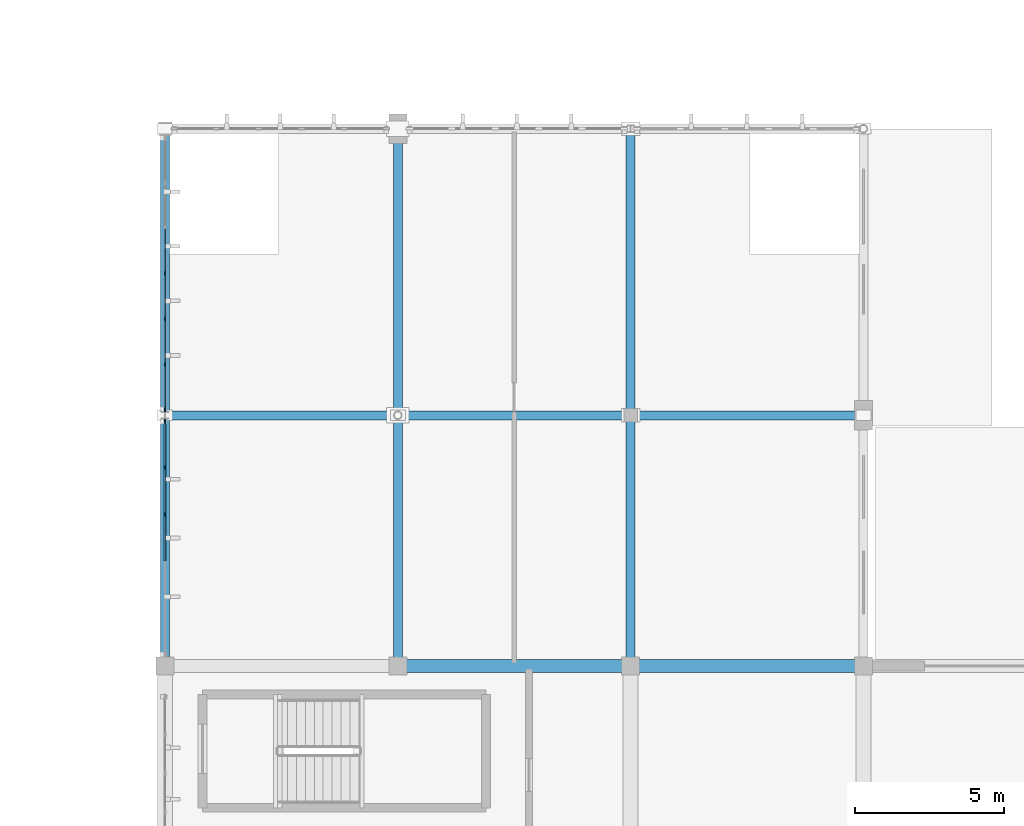
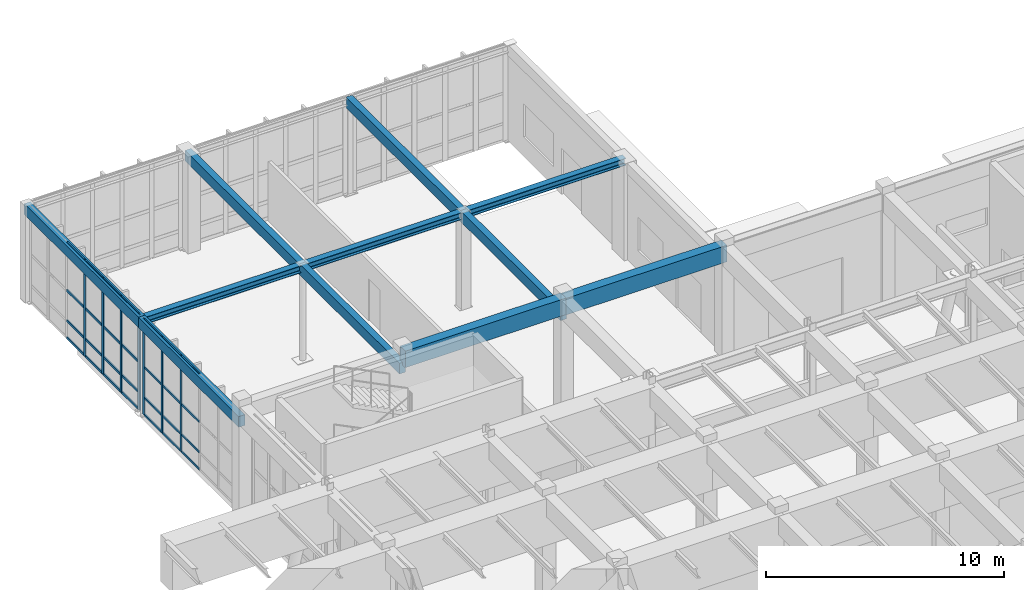
# One storey, part 42 of 110: 35 members, 11 beams, 2 elements without a shape of their own.
"""IFC4 building model written with IfcOpenShell, lengths in metres."""

from ifc_helpers import new_model, si_unit, direction, frame, origin, origin_2d, place, context, subcontext, project, spatial, rectangle, i_section, extrude, material, material_profile, profile_set, type_object, element, aggregate, save


model = new_model("IFC4")

# Units and contexts
model_context = context("Model", 3, precision=1e-05, world=origin(), true_north=direction((0.0, 1.0)))
body_context = subcontext(model_context, "Body", "Model", "MODEL_VIEW")
ifc_project = project(units=[si_unit("LENGTHUNIT", "METRE"), si_unit("AREAUNIT", "SQUARE_METRE"), si_unit("VOLUMEUNIT", "CUBIC_METRE"), si_unit("PLANEANGLEUNIT", "RADIAN"), si_unit("MASSUNIT", "GRAM", prefix="KILO")], contexts=[model_context])

# Site, building, storey
site_placement = place(None, origin())
site = spatial("IfcSite", under=ifc_project, at=site_placement, CompositionType="ELEMENT")
building_placement = place(site_placement, origin())
building = spatial("IfcBuilding", under=site, at=building_placement, Name="Tizgana Railside Sports Hall", CompositionType="ELEMENT")
storey_placement = place(building_placement, origin())
storey = spatial("IfcBuildingStorey", under=building, at=storey_placement, Name="L00", CompositionType="ELEMENT", Elevation=0.0)

# Beams
ifc_material_1 = material(Name="Concrete C35/45", Category="concrete")
ifc_material_profile_1 = material_profile(ifc_material_1, rectangle(XDim=0.300048828125, YDim=0.550048828125, at=origin_2d()), Name="RCB 300x550")
ifc_profile_set_1 = profile_set([ifc_material_profile_1], Name="Concrete C35/45")
beam_type_1 = type_object("IfcBeamType", Name="Concrete Beam RCB 300x550", PredefinedType="BEAM", material=ifc_profile_set_1)
beam_1_placement = place(storey_placement, frame((7.800048828125, 80.39990234375, 4.680908203125), z_axis=(0.0, 1.0, 0.0), x_axis=(-1.0, 0.0, 0.0)))
element("IfcBeam", 1, at=beam_1_placement, inside=storey, type_object=beam_type_1, Name="L00 BEM-1301", PredefinedType="BEAM", context=body_context, shape_type="SweptSolid", body=[
    extrude(rectangle(XDim=0.300048828125, YDim=0.550048828125, at=origin_2d()), origin(), (0.0, 0.0, 1.0), 8.400146484375),
])
beam_2_placement = place(storey_placement, frame((7.800048828125, 88.800048828125, 4.680908203125), z_axis=(0.0, 1.0, 0.0), x_axis=(-1.0, 0.0, 0.0)))
element("IfcBeam", 2, at=beam_2_placement, inside=storey, type_object=beam_type_1, Name="L00 BEM-1303", PredefinedType="BEAM", context=body_context, shape_type="SweptSolid", body=[
    extrude(rectangle(XDim=0.300048828125, YDim=0.550048828125, at=origin_2d()), origin(), (0.0, 0.0, 1.0), 9.599853515625),
])
beam_3_placement = place(storey_placement, frame((15.60009765625, 80.39990234375, 4.680908203125), z_axis=(0.0, 1.0, 0.0), x_axis=(-1.0, 0.0, 0.0)))
element("IfcBeam", 3, at=beam_3_placement, inside=storey, type_object=beam_type_1, Name="L00 BEM-1305", PredefinedType="BEAM", context=body_context, shape_type="SweptSolid", body=[
    extrude(rectangle(XDim=0.300048828125, YDim=0.550048828125, at=origin_2d()), origin(), (0.0, 0.0, 1.0), 8.400146484375),
])
beam_4_placement = place(storey_placement, frame((15.60009765625, 88.800048828125, 4.680908203125), z_axis=(0.0, 1.0, 0.0), x_axis=(-1.0, 0.0, 0.0)))
element("IfcBeam", 4, at=beam_4_placement, inside=storey, type_object=beam_type_1, Name="L00 BEM-1307", PredefinedType="BEAM", context=body_context, shape_type="SweptSolid", body=[
    extrude(rectangle(XDim=0.300048828125, YDim=0.550048828125, at=origin_2d()), origin(), (0.0, 0.0, 1.0), 9.599853515625),
])
beam_5_placement = place(storey_placement, frame((23.39990234375, 80.39990234375, 4.680908203125), z_axis=(0.0, 1.0, 0.0), x_axis=(-1.0, 0.0, 0.0)))
element("IfcBeam", 5, at=beam_5_placement, inside=storey, type_object=beam_type_1, Name="L00 BEM-1309", PredefinedType="BEAM", context=body_context, shape_type="SweptSolid", body=[
    extrude(rectangle(XDim=0.300048828125, YDim=0.550048828125, at=origin_2d()), origin(), (0.0, 0.0, 1.0), 8.400146484375),
])
beam_6_placement = place(storey_placement, frame((23.39990234375, 88.800048828125, 4.680908203125), z_axis=(0.0, 1.0, 0.0), x_axis=(-1.0, 0.0, 0.0)))
element("IfcBeam", 6, at=beam_6_placement, inside=storey, type_object=beam_type_1, Name="L00 BEM-1311", PredefinedType="BEAM", context=body_context, shape_type="SweptSolid", body=[
    extrude(rectangle(XDim=0.300048828125, YDim=0.550048828125, at=origin_2d()), origin(), (0.0, 0.0, 1.0), 9.599853515625),
])
ifc_material_2 = material(Name="Concrete C40/50", Category="concrete")
ifc_material_profile_2 = material_profile(ifc_material_2, rectangle(XDim=0.449951171875, YDim=0.85009765625, at=origin_2d()), Name="RCB 450x850")
ifc_profile_set_2 = profile_set([ifc_material_profile_2], Name="Concrete C40/50")
beam_type_2 = type_object("IfcBeamType", Name="Concrete Beam RCB 450x850", PredefinedType="BEAM", material=ifc_profile_set_2)
beam_7_placement = place(storey_placement, frame((15.60009765625, 80.39990234375, 5.235107421875), z_axis=(1.0, 0.0, 0.0), x_axis=(0.0, 1.0, 0.0)))
element("IfcBeam", 7, at=beam_7_placement, inside=storey, type_object=beam_type_2, Name="L00 BEM-0128", PredefinedType="BEAM", context=body_context, shape_type="SweptSolid", body=[
    extrude(rectangle(XDim=0.449951171875, YDim=0.85009765625, at=origin_2d()), origin(), (0.0, 0.0, 1.0), 7.7998046875),
])
beam_8_placement = place(storey_placement, frame((23.39990234375, 80.39990234375, 5.2109375), z_axis=(1.0, 0.0, 0.0), x_axis=(0.0, 1.0, 0.0)))
element("IfcBeam", 8, at=beam_8_placement, inside=storey, type_object=beam_type_2, Name="L00 BEM-0129", PredefinedType="BEAM", context=body_context, shape_type="SweptSolid", body=[
    extrude(rectangle(XDim=0.449951171875, YDim=0.85009765625, at=origin_2d()), origin(), (0.0, 0.0, 1.0), 7.800048828125),
])

# Curtain wall, members
ifc_material_3 = material(Name="Anodised aluminium and glass", Category="aluminium")
curtain_wall_type_1 = type_object("IfcCurtainWallType", Name="Unitised Curtain Wall WestHall 1560", PredefinedType="NOTDEFINED", material=ifc_material_3)
curtain_wall_1_placement = place(storey_placement, origin())
curtain_wall_1 = element("IfcCurtainWall", 9, at=curtain_wall_1_placement, inside=storey, type_object=curtain_wall_type_1, Name="L00 Curtain Wall CW-0150", PredefinedType="NOTDEFINED")
ifc_material_4 = material(Name="Anodised aluminium", Category="aluminium")
ifc_material_profile_3 = material_profile(ifc_material_4, rectangle(XDim=0.06005859375, YDim=0.139892578125, at=origin_2d()), Name="Mullion 60x140")
ifc_profile_set_3 = profile_set([ifc_material_profile_3], Name="Anodised aluminium")
member_type_1 = type_object("IfcMemberType", Name="Mullion 60x140", PredefinedType="MULLION", material=ifc_profile_set_3)
member_1_placement = place(storey_placement, frame((7.800048828125, 88.594970703125, 0.044921875), z_axis=(0.0, 0.0, 1.0), x_axis=(1.0, 0.0, 0.0)))
member_1 = element("IfcMember", 10, at=member_1_placement, type_object=member_type_1, Name="CW-07 mullion 1", PredefinedType="MULLION", context=body_context, shape_type="SweptSolid", body=[
    extrude(rectangle(XDim=0.06005859375, YDim=0.139892578125, at=origin_2d()), origin(), (0.0, 0.0, 1.0), 4.9150390625),
])
member_2_placement = place(storey_placement, frame((7.800048828125, 87.051025390625, 0.044921875), z_axis=(0.0, 0.0, 1.0), x_axis=(1.0, 0.0, 0.0)))
member_2 = element("IfcMember", 11, at=member_2_placement, type_object=member_type_1, Name="CW-07 mullion 2", PredefinedType="MULLION", context=body_context, shape_type="SweptSolid", body=[
    extrude(rectangle(XDim=0.06005859375, YDim=0.139892578125, at=origin_2d()), origin(), (0.0, 0.0, 1.0), 4.9150390625),
])
member_3_placement = place(storey_placement, frame((7.800048828125, 85.47705078125, 0.044921875), z_axis=(0.0, 0.0, 1.0), x_axis=(1.0, 0.0, 0.0)))
member_3 = element("IfcMember", 12, at=member_3_placement, type_object=member_type_1, Name="CW-07 mullion 3", PredefinedType="MULLION", context=body_context, shape_type="SweptSolid", body=[
    extrude(rectangle(XDim=0.06005859375, YDim=0.139892578125, at=origin_2d()), origin(), (0.0, 0.0, 1.0), 4.9150390625),
])

curtain_wall_type_2 = type_object("IfcCurtainWallType", Name="Unitised Curtain Wall EastHall 1500", PredefinedType="NOTDEFINED", material=ifc_material_3)
curtain_wall_2_placement = place(storey_placement, origin())
curtain_wall_2 = element("IfcCurtainWall", 13, at=curtain_wall_2_placement, inside=storey, type_object=curtain_wall_type_2, Name="L00 Curtain Wall CW-0151", PredefinedType="NOTDEFINED")
ifc_material_profile_4 = material_profile(ifc_material_4, rectangle(XDim=0.06005859375, YDim=0.159912109375, at=origin_2d()), Name="Mullion 60x160")
ifc_profile_set_4 = profile_set([ifc_material_profile_4], Name="Anodised aluminium")
member_type_2 = type_object("IfcMemberType", Name="Mullion 60x160", PredefinedType="MULLION", material=ifc_profile_set_4)
member_4_placement = place(storey_placement, frame((7.800048828125, 93.547607421875, 0.044921875), z_axis=(0.0, 0.0, 1.0), x_axis=(1.0, 0.0, 0.0)))
member_4 = element("IfcMember", 14, at=member_4_placement, type_object=member_type_2, Name="CW-08 mullion 4", PredefinedType="MULLION", context=body_context, shape_type="SweptSolid", body=[
    extrude(rectangle(XDim=0.06005859375, YDim=0.159912109375, at=origin_2d()), origin(), (0.0, 0.0, 1.0), 4.9150390625),
])
member_5_placement = place(storey_placement, frame((7.800048828125, 92.0234375, 0.044921875), z_axis=(0.0, 0.0, 1.0), x_axis=(1.0, 0.0, 0.0)))
member_5 = element("IfcMember", 15, at=member_5_placement, type_object=member_type_2, Name="CW-08 mullion 5", PredefinedType="MULLION", context=body_context, shape_type="SweptSolid", body=[
    extrude(rectangle(XDim=0.06005859375, YDim=0.159912109375, at=origin_2d()), origin(), (0.0, 0.0, 1.0), 4.9150390625),
])
member_6_placement = place(storey_placement, frame((7.800048828125, 90.499267578125, 0.044921875), z_axis=(0.0, 0.0, 1.0), x_axis=(1.0, 0.0, 0.0)))
member_6 = element("IfcMember", 16, at=member_6_placement, type_object=member_type_2, Name="CW-08 mullion 6", PredefinedType="MULLION", context=body_context, shape_type="SweptSolid", body=[
    extrude(rectangle(XDim=0.06005859375, YDim=0.159912109375, at=origin_2d()), origin(), (0.0, 0.0, 1.0), 4.9150390625),
])
member_7_placement = place(storey_placement, frame((7.800048828125, 89.0048828125, 0.044921875), z_axis=(0.0, 0.0, 1.0), x_axis=(1.0, 0.0, 0.0)))
member_7 = element("IfcMember", 17, at=member_7_placement, type_object=member_type_2, Name="CW-08 mullion 7", PredefinedType="MULLION", context=body_context, shape_type="SweptSolid", body=[
    extrude(rectangle(XDim=0.06005859375, YDim=0.159912109375, at=origin_2d()), origin(), (0.0, 0.0, 1.0), 4.9150390625),
])

# Beams
ifc_material_5 = material(Name="Steel S355J2", Category="steel")
ifc_material_profile_5 = material_profile(ifc_material_5, i_section(OverallWidth=0.300048828125, OverallDepth=0.360107421875, WebThickness=0.012451171875, FlangeThickness=0.0224609375, FilletRadius=0.027099609375, at=origin_2d()), Name="HEB 360")
ifc_profile_set_5 = profile_set([ifc_material_profile_5], Name="Steel S355J2")
beam_type_3 = type_object("IfcBeamType", Name="Steel Beam HEB 360", PredefinedType="BEAM", material=ifc_profile_set_5)
beam_9_placement = place(storey_placement, frame((7.800048828125, 88.800048828125, 4.77587890625), z_axis=(1.0, 0.0, 0.0), x_axis=(0.0, 1.0, 0.0)))
element("IfcBeam", 18, at=beam_9_placement, inside=storey, type_object=beam_type_3, Name="L00 BEM-1317", PredefinedType="BEAM", context=body_context, shape_type="SweptSolid", body=[
    extrude(i_section(OverallWidth=0.300048828125, OverallDepth=0.360107421875, WebThickness=0.012451171875, FlangeThickness=0.0224609375, FilletRadius=0.027099609375, at=origin_2d()), origin(), (0.0, 0.0, 1.0), 7.800048828125),
])
beam_10_placement = place(storey_placement, frame((15.60009765625, 88.800048828125, 4.77587890625), z_axis=(1.0, 0.0, 0.0), x_axis=(0.0, 1.0, 0.0)))
element("IfcBeam", 19, at=beam_10_placement, inside=storey, type_object=beam_type_3, Name="L00 BEM-1321", PredefinedType="BEAM", context=body_context, shape_type="SweptSolid", body=[
    extrude(i_section(OverallWidth=0.300048828125, OverallDepth=0.360107421875, WebThickness=0.012451171875, FlangeThickness=0.0224609375, FilletRadius=0.027099609375, at=origin_2d()), origin(), (0.0, 0.0, 1.0), 7.7998046875),
])
beam_11_placement = place(storey_placement, frame((23.39990234375, 88.800048828125, 4.77587890625), z_axis=(1.0, 0.0, 0.0), x_axis=(0.0, 1.0, 0.0)))
element("IfcBeam", 20, at=beam_11_placement, inside=storey, type_object=beam_type_3, Name="L00 BEM-1325", PredefinedType="BEAM", context=body_context, shape_type="SweptSolid", body=[
    extrude(i_section(OverallWidth=0.300048828125, OverallDepth=0.360107421875, WebThickness=0.012451171875, FlangeThickness=0.0224609375, FilletRadius=0.027099609375, at=origin_2d()), origin(), (0.0, 0.0, 1.0), 7.800048828125),
])

# Member
ifc_material_profile_6 = material_profile(ifc_material_4, rectangle(XDim=0.06005859375, YDim=0.110107421875, at=origin_2d()), Name="Transom 60x110")
ifc_profile_set_6 = profile_set([ifc_material_profile_6], Name="Anodised aluminium")
member_type_3 = type_object("IfcMemberType", Name="Transom 60x110", PredefinedType="USERDEFINED", material=ifc_profile_set_6)
member_8_placement = place(storey_placement, frame((7.800048828125, 88.56494140625, 0.074951171875), z_axis=(0.0, -1.0, 0.0), x_axis=(1.0, 0.0, 0.0)))
member_8 = element("IfcMember", 21, at=member_8_placement, type_object=member_type_3, Name="CW-07 transom 1.1", ObjectType="TRANSOM", PredefinedType="USERDEFINED", context=body_context, shape_type="SweptSolid", body=[
    extrude(rectangle(XDim=0.06005859375, YDim=0.110107421875, at=origin_2d()), origin(), (0.0, 0.0, 1.0), 1.48388671875),
])

member_9_placement = place(storey_placement, frame((7.800048828125, 88.56494140625, 0.945068359375), z_axis=(0.0, -1.0, 0.0), x_axis=(1.0, 0.0, 0.0)))
member_9 = element("IfcMember", 22, at=member_9_placement, type_object=member_type_3, Name="CW-07 transom 1.2", ObjectType="TRANSOM", PredefinedType="USERDEFINED", context=body_context, shape_type="SweptSolid", body=[
    extrude(rectangle(XDim=0.06005859375, YDim=0.110107421875, at=origin_2d()), origin(), (0.0, 0.0, 1.0), 1.48388671875),
])

member_10_placement = place(storey_placement, frame((7.800048828125, 88.56494140625, 2.50244140625), z_axis=(0.0, -1.0, 0.0), x_axis=(1.0, 0.0, 0.0)))
member_10 = element("IfcMember", 23, at=member_10_placement, type_object=member_type_3, Name="CW-07 transom 1.3", ObjectType="TRANSOM", PredefinedType="USERDEFINED", context=body_context, shape_type="SweptSolid", body=[
    extrude(rectangle(XDim=0.06005859375, YDim=0.110107421875, at=origin_2d()), origin(), (0.0, 0.0, 1.0), 1.48388671875),
])

member_11_placement = place(storey_placement, frame((7.800048828125, 88.56494140625, 4.929931640625), z_axis=(0.0, -1.0, 0.0), x_axis=(1.0, 0.0, 0.0)))
member_11 = element("IfcMember", 24, at=member_11_placement, type_object=member_type_3, Name="CW-07 transom 1.4", ObjectType="TRANSOM", PredefinedType="USERDEFINED", context=body_context, shape_type="SweptSolid", body=[
    extrude(rectangle(XDim=0.06005859375, YDim=0.110107421875, at=origin_2d()), origin(), (0.0, 0.0, 1.0), 1.48388671875),
])

member_12_placement = place(storey_placement, frame((7.800048828125, 87.02099609375, 0.074951171875), z_axis=(0.0, -1.0, 0.0), x_axis=(1.0, 0.0, 0.0)))
member_12 = element("IfcMember", 25, at=member_12_placement, type_object=member_type_3, Name="CW-07 transom 2.1", ObjectType="TRANSOM", PredefinedType="USERDEFINED", context=body_context, shape_type="SweptSolid", body=[
    extrude(rectangle(XDim=0.06005859375, YDim=0.110107421875, at=origin_2d()), origin(), (0.0, 0.0, 1.0), 1.513916015625),
])

member_13_placement = place(storey_placement, frame((7.800048828125, 87.02099609375, 0.945068359375), z_axis=(0.0, -1.0, 0.0), x_axis=(1.0, 0.0, 0.0)))
member_13 = element("IfcMember", 26, at=member_13_placement, type_object=member_type_3, Name="CW-07 transom 2.2", ObjectType="TRANSOM", PredefinedType="USERDEFINED", context=body_context, shape_type="SweptSolid", body=[
    extrude(rectangle(XDim=0.06005859375, YDim=0.110107421875, at=origin_2d()), origin(), (0.0, 0.0, 1.0), 1.513916015625),
])

member_14_placement = place(storey_placement, frame((7.800048828125, 87.02099609375, 2.50244140625), z_axis=(0.0, -1.0, 0.0), x_axis=(1.0, 0.0, 0.0)))
member_14 = element("IfcMember", 27, at=member_14_placement, type_object=member_type_3, Name="CW-07 transom 2.3", ObjectType="TRANSOM", PredefinedType="USERDEFINED", context=body_context, shape_type="SweptSolid", body=[
    extrude(rectangle(XDim=0.06005859375, YDim=0.110107421875, at=origin_2d()), origin(), (0.0, 0.0, 1.0), 1.513916015625),
])

member_15_placement = place(storey_placement, frame((7.800048828125, 87.02099609375, 4.929931640625), z_axis=(0.0, -1.0, 0.0), x_axis=(1.0, 0.0, 0.0)))
member_15 = element("IfcMember", 28, at=member_15_placement, type_object=member_type_3, Name="CW-07 transom 2.4", ObjectType="TRANSOM", PredefinedType="USERDEFINED", context=body_context, shape_type="SweptSolid", body=[
    extrude(rectangle(XDim=0.06005859375, YDim=0.110107421875, at=origin_2d()), origin(), (0.0, 0.0, 1.0), 1.513916015625),
])

member_16_placement = place(storey_placement, frame((7.800048828125, 85.447021484375, 0.074951171875), z_axis=(0.0, -1.0, 0.0), x_axis=(1.0, 0.0, 0.0)))
member_16 = element("IfcMember", 29, at=member_16_placement, type_object=member_type_3, Name="CW-07 transom 3.1", ObjectType="TRANSOM", PredefinedType="USERDEFINED", context=body_context, shape_type="SweptSolid", body=[
    extrude(rectangle(XDim=0.06005859375, YDim=0.110107421875, at=origin_2d()), origin(), (0.0, 0.0, 1.0), 1.513916015625),
])

member_17_placement = place(storey_placement, frame((7.800048828125, 85.447021484375, 0.945068359375), z_axis=(0.0, -1.0, 0.0), x_axis=(1.0, 0.0, 0.0)))
member_17 = element("IfcMember", 30, at=member_17_placement, type_object=member_type_3, Name="CW-07 transom 3.2", ObjectType="TRANSOM", PredefinedType="USERDEFINED", context=body_context, shape_type="SweptSolid", body=[
    extrude(rectangle(XDim=0.06005859375, YDim=0.110107421875, at=origin_2d()), origin(), (0.0, 0.0, 1.0), 1.513916015625),
])

member_18_placement = place(storey_placement, frame((7.800048828125, 85.447021484375, 2.50244140625), z_axis=(0.0, -1.0, 0.0), x_axis=(1.0, 0.0, 0.0)))
member_18 = element("IfcMember", 31, at=member_18_placement, type_object=member_type_3, Name="CW-07 transom 3.3", ObjectType="TRANSOM", PredefinedType="USERDEFINED", context=body_context, shape_type="SweptSolid", body=[
    extrude(rectangle(XDim=0.06005859375, YDim=0.110107421875, at=origin_2d()), origin(), (0.0, 0.0, 1.0), 1.513916015625),
])

member_19_placement = place(storey_placement, frame((7.800048828125, 85.447021484375, 4.929931640625), z_axis=(0.0, -1.0, 0.0), x_axis=(1.0, 0.0, 0.0)))
member_19 = element("IfcMember", 32, at=member_19_placement, type_object=member_type_3, Name="CW-07 transom 3.4", ObjectType="TRANSOM", PredefinedType="USERDEFINED", context=body_context, shape_type="SweptSolid", body=[
    extrude(rectangle(XDim=0.06005859375, YDim=0.110107421875, at=origin_2d()), origin(), (0.0, 0.0, 1.0), 1.513916015625),
])

aggregate(curtain_wall_1, [member_1, member_2, member_3, member_8, member_9, member_10, member_11, member_12, member_13, member_14, member_15, member_16, member_17, member_18, member_19])

ifc_material_profile_7 = material_profile(ifc_material_4, rectangle(XDim=0.06005859375, YDim=0.1298828125, at=origin_2d()), Name="Transom 60x130")
ifc_profile_set_7 = profile_set([ifc_material_profile_7], Name="Anodised aluminium")
member_type_4 = type_object("IfcMemberType", Name="Transom 60x130", PredefinedType="USERDEFINED", material=ifc_profile_set_7)
member_20_placement = place(storey_placement, frame((7.800048828125, 95.041748046875, 0.074951171875), z_axis=(0.0, -1.0, 0.0), x_axis=(1.0, 0.0, 0.0)))
member_20 = element("IfcMember", 33, at=member_20_placement, type_object=member_type_4, Name="CW-08 transom 3.1", ObjectType="TRANSOM", PredefinedType="USERDEFINED", context=body_context, shape_type="SweptSolid", body=[
    extrude(rectangle(XDim=0.06005859375, YDim=0.1298828125, at=origin_2d()), origin(), (0.0, 0.0, 1.0), 1.46435546875),
])

member_21_placement = place(storey_placement, frame((7.800048828125, 95.041748046875, 0.945068359375), z_axis=(0.0, -1.0, 0.0), x_axis=(1.0, 0.0, 0.0)))
member_21 = element("IfcMember", 34, at=member_21_placement, type_object=member_type_4, Name="CW-08 transom 3.2", ObjectType="TRANSOM", PredefinedType="USERDEFINED", context=body_context, shape_type="SweptSolid", body=[
    extrude(rectangle(XDim=0.06005859375, YDim=0.1298828125, at=origin_2d()), origin(), (0.0, 0.0, 1.0), 1.46435546875),
])

member_22_placement = place(storey_placement, frame((7.800048828125, 95.041748046875, 2.50244140625), z_axis=(0.0, -1.0, 0.0), x_axis=(1.0, 0.0, 0.0)))
member_22 = element("IfcMember", 35, at=member_22_placement, type_object=member_type_4, Name="CW-08 transom 3.3", ObjectType="TRANSOM", PredefinedType="USERDEFINED", context=body_context, shape_type="SweptSolid", body=[
    extrude(rectangle(XDim=0.06005859375, YDim=0.1298828125, at=origin_2d()), origin(), (0.0, 0.0, 1.0), 1.46435546875),
])

member_23_placement = place(storey_placement, frame((7.800048828125, 95.041748046875, 4.929931640625), z_axis=(0.0, -1.0, 0.0), x_axis=(1.0, 0.0, 0.0)))
member_23 = element("IfcMember", 36, at=member_23_placement, type_object=member_type_4, Name="CW-08 transom 3.4", ObjectType="TRANSOM", PredefinedType="USERDEFINED", context=body_context, shape_type="SweptSolid", body=[
    extrude(rectangle(XDim=0.06005859375, YDim=0.1298828125, at=origin_2d()), origin(), (0.0, 0.0, 1.0), 1.46435546875),
])

member_24_placement = place(storey_placement, frame((7.800048828125, 93.517578125, 0.074951171875), z_axis=(0.0, -1.0, 0.0), x_axis=(1.0, 0.0, 0.0)))
member_24 = element("IfcMember", 37, at=member_24_placement, type_object=member_type_4, Name="CW-08 transom 4.1", ObjectType="TRANSOM", PredefinedType="USERDEFINED", context=body_context, shape_type="SweptSolid", body=[
    extrude(rectangle(XDim=0.06005859375, YDim=0.1298828125, at=origin_2d()), origin(), (0.0, 0.0, 1.0), 1.46435546875),
])

member_25_placement = place(storey_placement, frame((7.800048828125, 93.517578125, 0.945068359375), z_axis=(0.0, -1.0, 0.0), x_axis=(1.0, 0.0, 0.0)))
member_25 = element("IfcMember", 38, at=member_25_placement, type_object=member_type_4, Name="CW-08 transom 4.2", ObjectType="TRANSOM", PredefinedType="USERDEFINED", context=body_context, shape_type="SweptSolid", body=[
    extrude(rectangle(XDim=0.06005859375, YDim=0.1298828125, at=origin_2d()), origin(), (0.0, 0.0, 1.0), 1.46435546875),
])

member_26_placement = place(storey_placement, frame((7.800048828125, 93.517578125, 2.50244140625), z_axis=(0.0, -1.0, 0.0), x_axis=(1.0, 0.0, 0.0)))
member_26 = element("IfcMember", 39, at=member_26_placement, type_object=member_type_4, Name="CW-08 transom 4.3", ObjectType="TRANSOM", PredefinedType="USERDEFINED", context=body_context, shape_type="SweptSolid", body=[
    extrude(rectangle(XDim=0.06005859375, YDim=0.1298828125, at=origin_2d()), origin(), (0.0, 0.0, 1.0), 1.46435546875),
])

member_27_placement = place(storey_placement, frame((7.800048828125, 93.517578125, 4.929931640625), z_axis=(0.0, -1.0, 0.0), x_axis=(1.0, 0.0, 0.0)))
member_27 = element("IfcMember", 40, at=member_27_placement, type_object=member_type_4, Name="CW-08 transom 4.4", ObjectType="TRANSOM", PredefinedType="USERDEFINED", context=body_context, shape_type="SweptSolid", body=[
    extrude(rectangle(XDim=0.06005859375, YDim=0.1298828125, at=origin_2d()), origin(), (0.0, 0.0, 1.0), 1.46435546875),
])

member_28_placement = place(storey_placement, frame((7.800048828125, 91.993408203125, 0.074951171875), z_axis=(0.0, -1.0, 0.0), x_axis=(1.0, 0.0, 0.0)))
member_28 = element("IfcMember", 41, at=member_28_placement, type_object=member_type_4, Name="CW-08 transom 5.1", ObjectType="TRANSOM", PredefinedType="USERDEFINED", context=body_context, shape_type="SweptSolid", body=[
    extrude(rectangle(XDim=0.06005859375, YDim=0.1298828125, at=origin_2d()), origin(), (0.0, 0.0, 1.0), 1.46435546875),
])

member_29_placement = place(storey_placement, frame((7.800048828125, 91.993408203125, 0.945068359375), z_axis=(0.0, -1.0, 0.0), x_axis=(1.0, 0.0, 0.0)))
member_29 = element("IfcMember", 42, at=member_29_placement, type_object=member_type_4, Name="CW-08 transom 5.2", ObjectType="TRANSOM", PredefinedType="USERDEFINED", context=body_context, shape_type="SweptSolid", body=[
    extrude(rectangle(XDim=0.06005859375, YDim=0.1298828125, at=origin_2d()), origin(), (0.0, 0.0, 1.0), 1.46435546875),
])

member_30_placement = place(storey_placement, frame((7.800048828125, 91.993408203125, 2.50244140625), z_axis=(0.0, -1.0, 0.0), x_axis=(1.0, 0.0, 0.0)))
member_30 = element("IfcMember", 43, at=member_30_placement, type_object=member_type_4, Name="CW-08 transom 5.3", ObjectType="TRANSOM", PredefinedType="USERDEFINED", context=body_context, shape_type="SweptSolid", body=[
    extrude(rectangle(XDim=0.06005859375, YDim=0.1298828125, at=origin_2d()), origin(), (0.0, 0.0, 1.0), 1.46435546875),
])

member_31_placement = place(storey_placement, frame((7.800048828125, 91.993408203125, 4.929931640625), z_axis=(0.0, -1.0, 0.0), x_axis=(1.0, 0.0, 0.0)))
member_31 = element("IfcMember", 44, at=member_31_placement, type_object=member_type_4, Name="CW-08 transom 5.4", ObjectType="TRANSOM", PredefinedType="USERDEFINED", context=body_context, shape_type="SweptSolid", body=[
    extrude(rectangle(XDim=0.06005859375, YDim=0.1298828125, at=origin_2d()), origin(), (0.0, 0.0, 1.0), 1.46435546875),
])

member_32_placement = place(storey_placement, frame((7.800048828125, 90.46923828125, 0.074951171875), z_axis=(0.0, -1.0, 0.0), x_axis=(1.0, 0.0, 0.0)))
member_32 = element("IfcMember", 45, at=member_32_placement, type_object=member_type_4, Name="CW-08 transom 6.1", ObjectType="TRANSOM", PredefinedType="USERDEFINED", context=body_context, shape_type="SweptSolid", body=[
    extrude(rectangle(XDim=0.06005859375, YDim=0.1298828125, at=origin_2d()), origin(), (0.0, 0.0, 1.0), 1.434326171875),
])

member_33_placement = place(storey_placement, frame((7.800048828125, 90.46923828125, 0.945068359375), z_axis=(0.0, -1.0, 0.0), x_axis=(1.0, 0.0, 0.0)))
member_33 = element("IfcMember", 46, at=member_33_placement, type_object=member_type_4, Name="CW-08 transom 6.2", ObjectType="TRANSOM", PredefinedType="USERDEFINED", context=body_context, shape_type="SweptSolid", body=[
    extrude(rectangle(XDim=0.06005859375, YDim=0.1298828125, at=origin_2d()), origin(), (0.0, 0.0, 1.0), 1.434326171875),
])

member_34_placement = place(storey_placement, frame((7.800048828125, 90.46923828125, 2.50244140625), z_axis=(0.0, -1.0, 0.0), x_axis=(1.0, 0.0, 0.0)))
member_34 = element("IfcMember", 47, at=member_34_placement, type_object=member_type_4, Name="CW-08 transom 6.3", ObjectType="TRANSOM", PredefinedType="USERDEFINED", context=body_context, shape_type="SweptSolid", body=[
    extrude(rectangle(XDim=0.06005859375, YDim=0.1298828125, at=origin_2d()), origin(), (0.0, 0.0, 1.0), 1.434326171875),
])

member_35_placement = place(storey_placement, frame((7.800048828125, 90.46923828125, 4.929931640625), z_axis=(0.0, -1.0, 0.0), x_axis=(1.0, 0.0, 0.0)))
member_35 = element("IfcMember", 48, at=member_35_placement, type_object=member_type_4, Name="CW-08 transom 6.4", ObjectType="TRANSOM", PredefinedType="USERDEFINED", context=body_context, shape_type="SweptSolid", body=[
    extrude(rectangle(XDim=0.06005859375, YDim=0.1298828125, at=origin_2d()), origin(), (0.0, 0.0, 1.0), 1.434326171875),
])

aggregate(curtain_wall_2, [member_4, member_5, member_6, member_7, member_20, member_21, member_22, member_23, member_24, member_25, member_26, member_27, member_28, member_29, member_30, member_31, member_32, member_33, member_34, member_35])

save(model, "model.ifc")
